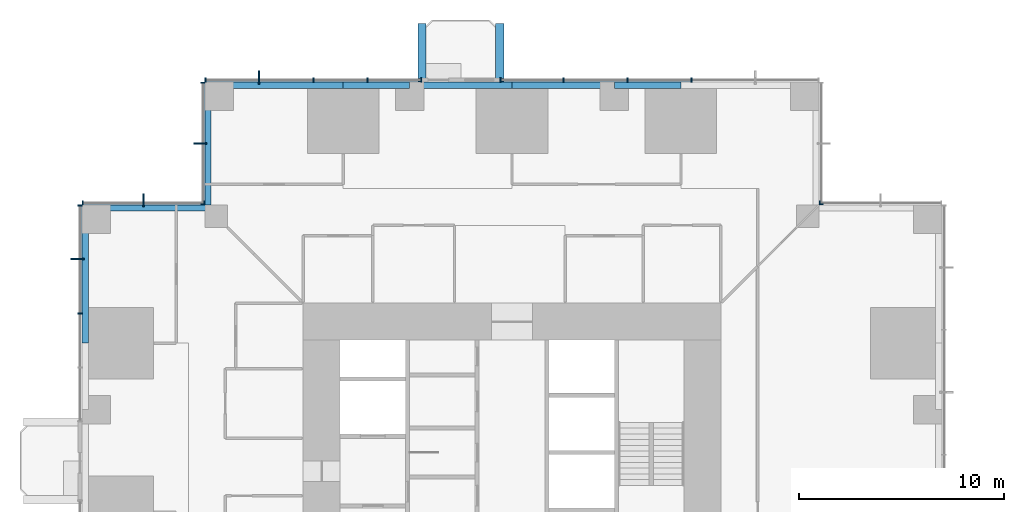
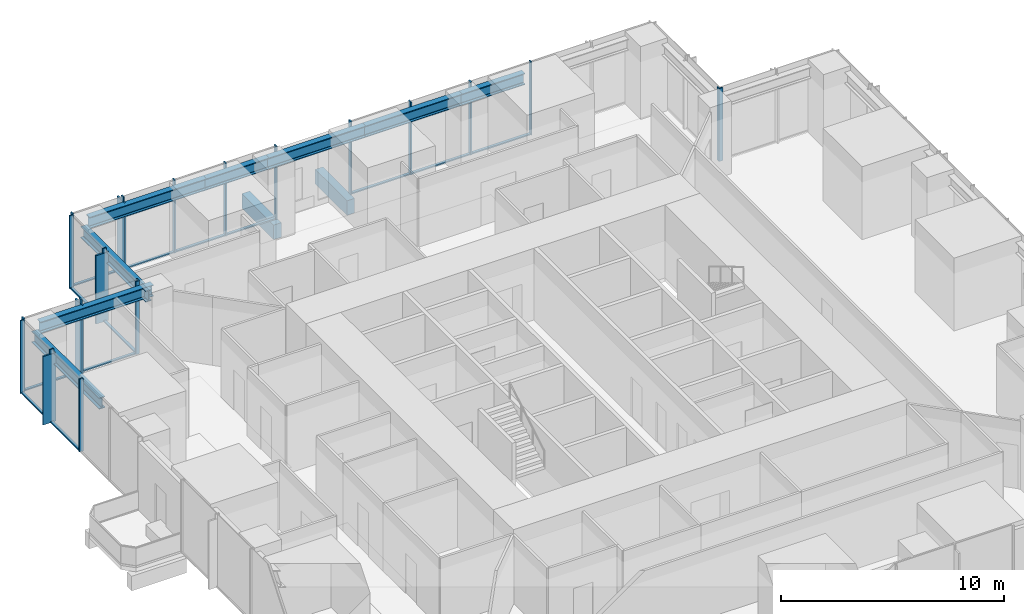
# One storey, part 5 of 15: 37 members, 10 beams, 7 elements without a shape of their own.
"""IFC4 building model written with IfcOpenShell, lengths in metres."""

from ifc_helpers import new_model, si_unit, direction, frame, origin, origin_2d, place, context, subcontext, project, spatial, rectangle, i_section, extrude, material, material_profile, profile_set, type_object, element, aggregate, save


model = new_model("IFC4")

# Units and contexts
model_context = context("Model", 3, precision=1e-05, world=origin(), true_north=direction((0.0, 1.0)))
body_context = subcontext(model_context, "Body", "Model", "MODEL_VIEW")
ifc_project = project(units=[si_unit("LENGTHUNIT", "METRE"), si_unit("AREAUNIT", "SQUARE_METRE"), si_unit("VOLUMEUNIT", "CUBIC_METRE"), si_unit("PLANEANGLEUNIT", "RADIAN"), si_unit("MASSUNIT", "GRAM", prefix="KILO")], contexts=[model_context])

# Site, building, storey
site_placement = place(None, origin())
site = spatial("IfcSite", under=ifc_project, at=site_placement, CompositionType="ELEMENT")
building_placement = place(site_placement, origin())
building = spatial("IfcBuilding", under=site, at=building_placement, Name="Svetlomir Tower", CompositionType="ELEMENT")
storey_placement = place(building_placement, frame((0.0, 0.0, 34.5)))
storey = spatial("IfcBuildingStorey", under=building, at=storey_placement, Name="L07", CompositionType="ELEMENT", Elevation=34.5)

# Beams
ifc_material_1 = material(Name="Concrete C60/75", Category="concrete")
ifc_material_profile_1 = material_profile(ifc_material_1, rectangle(XDim=0.39990234375, YDim=0.800048828125, at=origin_2d()), Name="RC 400x800")
ifc_profile_set_1 = profile_set([ifc_material_profile_1], Name="Concrete C60/75")
beam_type_1 = type_object("IfcBeamType", Name="BALCONY RIB RC 400x800", PredefinedType="BEAM", material=ifc_profile_set_1)
for number, where, z_axis, x_axis, name in (
    (1, (16.60009765625, 42.0, -0.64990234375), (0.0, 1.0, 0.0), (-1.0, 0.0, 0.0), "Balcony rib N 1 L07"),
    (2, (20.39990234375, 42.0, -0.64990234375), (0.0, 1.0, 0.0), (-1.0, 0.0, 0.0), "Balcony rib N 2 L07"),
):
    element("IfcBeam", number, at=place(storey_placement, frame(where, z_axis=z_axis, x_axis=x_axis)), inside=storey, type_object=beam_type_1, Name=name, PredefinedType="BEAM", context=body_context, shape_type="SweptSolid", body=[
        extrude(rectangle(XDim=0.39990234375, YDim=0.800048828125, at=origin_2d()), origin(), (0.0, 0.0, 1.0), 2.85009765625),
    ])

# Curtain wall, member
ifc_material_2 = material(Name="Bronze anodised aluminium curtain wall", Category="aluminium")
curtain_wall_type = type_object("IfcCurtainWallType", Name="CURTAIN WALL CW1 TOWER OFFICE", PredefinedType="NOTDEFINED", material=ifc_material_2)
curtain_wall_1_placement = place(storey_placement, origin())
curtain_wall_1 = element("IfcCurtainWall", 3, at=curtain_wall_1_placement, inside=storey, type_object=curtain_wall_type, Name="Curtain wall CW1 L07", PredefinedType="NOTDEFINED")
ifc_material_3 = material(Name="Bronze anodised aluminium", Category="aluminium")
ifc_material_profile_2 = material_profile(ifc_material_3, rectangle(XDim=0.080078125, YDim=0.64990234375, at=origin_2d()), Name="FIN 80x650")
ifc_profile_set_2 = profile_set([ifc_material_profile_2], Name="Bronze anodised aluminium 6063-T6")
member_type_1 = type_object("IfcMemberType", Name="BRONZE FIN 80x650", PredefinedType="USERDEFINED", material=ifc_profile_set_2)
member_1_placement = place(storey_placement, frame((8.64990234375, 42.22509765625, 0.0), z_axis=(0.0, 0.0, 1.0), x_axis=(1.0, 0.0, 0.0)))
member_1 = element("IfcMember", 4, at=member_1_placement, type_object=member_type_1, Name="Bronze fin L07", ObjectType="FIN", PredefinedType="USERDEFINED", context=body_context, shape_type="SweptSolid", body=[
    extrude(rectangle(XDim=0.080078125, YDim=0.64990234375, at=origin_2d()), origin(), (0.0, 0.0, 1.0), 3.75),
])

curtain_wall_2_placement = place(storey_placement, origin())
curtain_wall_2 = element("IfcCurtainWall", 5, at=curtain_wall_2_placement, inside=storey, type_object=curtain_wall_type, Name="Curtain wall CW1 L07", PredefinedType="NOTDEFINED")
member_2_placement = place(storey_placement, frame((5.77490234375, 39.0, 0.0), z_axis=(0.0, 0.0, 1.0), x_axis=(0.0, 1.0, 0.0)))
member_2 = element("IfcMember", 6, at=member_2_placement, type_object=member_type_1, Name="Bronze fin L07", ObjectType="FIN", PredefinedType="USERDEFINED", context=body_context, shape_type="SweptSolid", body=[
    extrude(rectangle(XDim=0.080078125, YDim=0.64990234375, at=origin_2d()), origin(), (0.0, 0.0, 1.0), 3.75),
])

curtain_wall_3_placement = place(storey_placement, origin())
curtain_wall_3 = element("IfcCurtainWall", 7, at=curtain_wall_3_placement, inside=storey, type_object=curtain_wall_type, Name="Curtain wall CW1 L07", PredefinedType="NOTDEFINED")
member_3_placement = place(storey_placement, frame((3.0, 36.22509765625, 0.0), z_axis=(0.0, 0.0, 1.0), x_axis=(1.0, 0.0, 0.0)))
member_3 = element("IfcMember", 8, at=member_3_placement, type_object=member_type_1, Name="Bronze fin L07", ObjectType="FIN", PredefinedType="USERDEFINED", context=body_context, shape_type="SweptSolid", body=[
    extrude(rectangle(XDim=0.080078125, YDim=0.64990234375, at=origin_2d()), origin(), (0.0, 0.0, 1.0), 3.75),
])

curtain_wall_4_placement = place(storey_placement, origin())
curtain_wall_4 = element("IfcCurtainWall", 9, at=curtain_wall_4_placement, inside=storey, type_object=curtain_wall_type, Name="Curtain wall CW1 L07", PredefinedType="NOTDEFINED")
member_4_placement = place(storey_placement, frame((-0.22509765625, 33.35009765625, 0.0), z_axis=(0.0, 0.0, 1.0), x_axis=(0.0, 1.0, 0.0)))
member_4 = element("IfcMember", 10, at=member_4_placement, type_object=member_type_1, Name="Bronze fin L07", ObjectType="FIN", PredefinedType="USERDEFINED", context=body_context, shape_type="SweptSolid", body=[
    extrude(rectangle(XDim=0.080078125, YDim=0.64990234375, at=origin_2d()), origin(), (0.0, 0.0, 1.0), 3.75),
])

curtain_wall_5_placement = place(storey_placement, origin())
curtain_wall_5 = element("IfcCurtainWall", 11, at=curtain_wall_5_placement, inside=storey, type_object=curtain_wall_type, Name="Curtain wall CW1 L07", PredefinedType="NOTDEFINED")
ifc_material_4 = material(Name="Bronze anodised aluminium", Category="aluminium")
ifc_material_profile_3 = material_profile(ifc_material_4, rectangle(XDim=0.06494140625, YDim=0.199951171875, at=origin_2d()), Name="AL 65x200")
ifc_profile_set_3 = profile_set([ifc_material_profile_3], Name="Bronze anodised aluminium 6063-T6")
member_type_2 = type_object("IfcMemberType", Name="CW1 MULLION 65x200", PredefinedType="MULLION", material=ifc_profile_set_3)
member_5_placement = place(storey_placement, frame((36.032470703125, 36.10009765625, 0.0), z_axis=(0.0, 0.0, 1.0), x_axis=(-1.0, 0.0, 0.0)))
member_5 = element("IfcMember", 12, at=member_5_placement, type_object=member_type_2, Name="CW1 mullion 3", PredefinedType="MULLION", context=body_context, shape_type="SweptSolid", body=[
    extrude(rectangle(XDim=0.06494140625, YDim=0.199951171875, at=origin_2d()), origin(), (0.0, 0.0, 1.0), 4.0),
])
aggregate(curtain_wall_5, [member_5])

curtain_wall_6_placement = place(storey_placement, origin())
curtain_wall_6 = element("IfcCurtainWall", 13, at=curtain_wall_6_placement, inside=storey, type_object=curtain_wall_type, Name="Curtain wall CW1 L07", PredefinedType="NOTDEFINED")
member_6_placement = place(storey_placement, frame((36.10009765625, 36.032470703125, 0.0), z_axis=(0.0, 0.0, 1.0), x_axis=(0.0, 1.0, 0.0)))
member_6 = element("IfcMember", 14, at=member_6_placement, type_object=member_type_2, Name="CW1 mullion 1", PredefinedType="MULLION", context=body_context, shape_type="SweptSolid", body=[
    extrude(rectangle(XDim=0.06494140625, YDim=0.199951171875, at=origin_2d()), origin(), (0.0, 0.0, 1.0), 4.0),
])
aggregate(curtain_wall_6, [member_6])

# Curtain wall, members
curtain_wall_7_placement = place(storey_placement, origin())
curtain_wall_7 = element("IfcCurtainWall", 15, at=curtain_wall_7_placement, inside=storey, type_object=curtain_wall_type, Name="Curtain wall CW1 L07", PredefinedType="NOTDEFINED")
member_7_placement = place(storey_placement, frame((29.760009765625, 42.10009765625, 0.0), z_axis=(0.0, 0.0, 1.0), x_axis=(-1.0, 0.0, 0.0)))
member_7 = element("IfcMember", 16, at=member_7_placement, type_object=member_type_2, Name="CW1 mullion 3", PredefinedType="MULLION", context=body_context, shape_type="SweptSolid", body=[
    extrude(rectangle(XDim=0.06494140625, YDim=0.199951171875, at=origin_2d()), origin(), (0.0, 0.0, 1.0), 4.0),
])
member_8_placement = place(storey_placement, frame((26.639892578125, 42.10009765625, 0.0), z_axis=(0.0, 0.0, 1.0), x_axis=(-1.0, 0.0, 0.0)))
member_8 = element("IfcMember", 17, at=member_8_placement, type_object=member_type_2, Name="CW1 mullion 4", PredefinedType="MULLION", context=body_context, shape_type="SweptSolid", body=[
    extrude(rectangle(XDim=0.06494140625, YDim=0.199951171875, at=origin_2d()), origin(), (0.0, 0.0, 1.0), 4.0),
])
member_9_placement = place(storey_placement, frame((23.52001953125, 42.10009765625, 0.0), z_axis=(0.0, 0.0, 1.0), x_axis=(-1.0, 0.0, 0.0)))
member_9 = element("IfcMember", 18, at=member_9_placement, type_object=member_type_2, Name="CW1 mullion 5", PredefinedType="MULLION", context=body_context, shape_type="SweptSolid", body=[
    extrude(rectangle(XDim=0.06494140625, YDim=0.199951171875, at=origin_2d()), origin(), (0.0, 0.0, 1.0), 4.0),
])
member_10_placement = place(storey_placement, frame((20.4326171875, 42.10009765625, 0.0), z_axis=(0.0, 0.0, 1.0), x_axis=(-1.0, 0.0, 0.0)))
member_10 = element("IfcMember", 19, at=member_10_placement, type_object=member_type_2, Name="CW1 mullion 6", PredefinedType="MULLION", context=body_context, shape_type="SweptSolid", body=[
    extrude(rectangle(XDim=0.06494140625, YDim=0.199951171875, at=origin_2d()), origin(), (0.0, 0.0, 1.0), 4.0),
])

# Member
member_11_placement = place(storey_placement, frame((16.5673828125, 42.10009765625, 0.0), z_axis=(0.0, 0.0, 1.0), x_axis=(-1.0, 0.0, 0.0)))
member_11 = element("IfcMember", 20, at=member_11_placement, type_object=member_type_2, Name="CW1 mullion 1", PredefinedType="MULLION", context=body_context, shape_type="SweptSolid", body=[
    extrude(rectangle(XDim=0.06494140625, YDim=0.199951171875, at=origin_2d()), origin(), (0.0, 0.0, 1.0), 4.0),
])

member_12_placement = place(storey_placement, frame((13.949951171875, 42.10009765625, 0.0), z_axis=(0.0, 0.0, 1.0), x_axis=(-1.0, 0.0, 0.0)))
member_12 = element("IfcMember", 21, at=member_12_placement, type_object=member_type_2, Name="CW1 mullion 2", PredefinedType="MULLION", context=body_context, shape_type="SweptSolid", body=[
    extrude(rectangle(XDim=0.06494140625, YDim=0.199951171875, at=origin_2d()), origin(), (0.0, 0.0, 1.0), 4.0),
])

member_13_placement = place(storey_placement, frame((11.300048828125, 42.10009765625, 0.0), z_axis=(0.0, 0.0, 1.0), x_axis=(-1.0, 0.0, 0.0)))
member_13 = element("IfcMember", 22, at=member_13_placement, type_object=member_type_2, Name="CW1 mullion 3", PredefinedType="MULLION", context=body_context, shape_type="SweptSolid", body=[
    extrude(rectangle(XDim=0.06494140625, YDim=0.199951171875, at=origin_2d()), origin(), (0.0, 0.0, 1.0), 4.0),
])

member_14_placement = place(storey_placement, frame((8.64990234375, 42.10009765625, 0.0), z_axis=(0.0, 0.0, 1.0), x_axis=(-1.0, 0.0, 0.0)))
member_14 = element("IfcMember", 23, at=member_14_placement, type_object=member_type_2, Name="CW1 mullion 4", PredefinedType="MULLION", context=body_context, shape_type="SweptSolid", body=[
    extrude(rectangle(XDim=0.06494140625, YDim=0.199951171875, at=origin_2d()), origin(), (0.0, 0.0, 1.0), 4.0),
])

member_15_placement = place(storey_placement, frame((6.032470703125, 42.10009765625, 0.0), z_axis=(0.0, 0.0, 1.0), x_axis=(-1.0, 0.0, 0.0)))
member_15 = element("IfcMember", 24, at=member_15_placement, type_object=member_type_2, Name="CW1 mullion 5", PredefinedType="MULLION", context=body_context, shape_type="SweptSolid", body=[
    extrude(rectangle(XDim=0.06494140625, YDim=0.199951171875, at=origin_2d()), origin(), (0.0, 0.0, 1.0), 4.0),
])

member_16_placement = place(storey_placement, frame((5.89990234375, 41.967529296875, 0.0), z_axis=(0.0, 0.0, 1.0), x_axis=(0.0, -1.0, 0.0)))
member_16 = element("IfcMember", 25, at=member_16_placement, type_object=member_type_2, Name="CW1 mullion 1", PredefinedType="MULLION", context=body_context, shape_type="SweptSolid", body=[
    extrude(rectangle(XDim=0.06494140625, YDim=0.199951171875, at=origin_2d()), origin(), (0.0, 0.0, 1.0), 4.0),
])

member_17_placement = place(storey_placement, frame((5.89990234375, 39.0, 0.0), z_axis=(0.0, 0.0, 1.0), x_axis=(0.0, -1.0, 0.0)))
member_17 = element("IfcMember", 26, at=member_17_placement, type_object=member_type_2, Name="CW1 mullion 2", PredefinedType="MULLION", context=body_context, shape_type="SweptSolid", body=[
    extrude(rectangle(XDim=0.06494140625, YDim=0.199951171875, at=origin_2d()), origin(), (0.0, 0.0, 1.0), 4.0),
])

member_18_placement = place(storey_placement, frame((5.89990234375, 36.032470703125, 0.0), z_axis=(0.0, 0.0, 1.0), x_axis=(0.0, -1.0, 0.0)))
member_18 = element("IfcMember", 27, at=member_18_placement, type_object=member_type_2, Name="CW1 mullion 3", PredefinedType="MULLION", context=body_context, shape_type="SweptSolid", body=[
    extrude(rectangle(XDim=0.06494140625, YDim=0.199951171875, at=origin_2d()), origin(), (0.0, 0.0, 1.0), 4.0),
])

member_19_placement = place(storey_placement, frame((5.967529296875, 36.10009765625, 0.0), z_axis=(0.0, 0.0, 1.0), x_axis=(-1.0, 0.0, 0.0)))
member_19 = element("IfcMember", 28, at=member_19_placement, type_object=member_type_2, Name="CW1 mullion 1", PredefinedType="MULLION", context=body_context, shape_type="SweptSolid", body=[
    extrude(rectangle(XDim=0.06494140625, YDim=0.199951171875, at=origin_2d()), origin(), (0.0, 0.0, 1.0), 4.0),
])

member_20_placement = place(storey_placement, frame((3.0, 36.10009765625, 0.0), z_axis=(0.0, 0.0, 1.0), x_axis=(-1.0, 0.0, 0.0)))
member_20 = element("IfcMember", 29, at=member_20_placement, type_object=member_type_2, Name="CW1 mullion 2", PredefinedType="MULLION", context=body_context, shape_type="SweptSolid", body=[
    extrude(rectangle(XDim=0.06494140625, YDim=0.199951171875, at=origin_2d()), origin(), (0.0, 0.0, 1.0), 4.0),
])

member_21_placement = place(storey_placement, frame((0.032470703125, 36.10009765625, 0.0), z_axis=(0.0, 0.0, 1.0), x_axis=(-1.0, 0.0, 0.0)))
member_21 = element("IfcMember", 30, at=member_21_placement, type_object=member_type_2, Name="CW1 mullion 3", PredefinedType="MULLION", context=body_context, shape_type="SweptSolid", body=[
    extrude(rectangle(XDim=0.06494140625, YDim=0.199951171875, at=origin_2d()), origin(), (0.0, 0.0, 1.0), 4.0),
])

member_22_placement = place(storey_placement, frame((-0.10009765625, 35.967529296875, 0.0), z_axis=(0.0, 0.0, 1.0), x_axis=(0.0, -1.0, 0.0)))
member_22 = element("IfcMember", 31, at=member_22_placement, type_object=member_type_2, Name="CW1 mullion 1", PredefinedType="MULLION", context=body_context, shape_type="SweptSolid", body=[
    extrude(rectangle(XDim=0.06494140625, YDim=0.199951171875, at=origin_2d()), origin(), (0.0, 0.0, 1.0), 4.0),
])

member_23_placement = place(storey_placement, frame((-0.10009765625, 33.35009765625, 0.0), z_axis=(0.0, 0.0, 1.0), x_axis=(0.0, -1.0, 0.0)))
member_23 = element("IfcMember", 32, at=member_23_placement, type_object=member_type_2, Name="CW1 mullion 2", PredefinedType="MULLION", context=body_context, shape_type="SweptSolid", body=[
    extrude(rectangle(XDim=0.06494140625, YDim=0.199951171875, at=origin_2d()), origin(), (0.0, 0.0, 1.0), 4.0),
])

member_24_placement = place(storey_placement, frame((-0.10009765625, 30.699951171875, 0.0), z_axis=(0.0, 0.0, 1.0), x_axis=(0.0, -1.0, 0.0)))
member_24 = element("IfcMember", 33, at=member_24_placement, type_object=member_type_2, Name="CW1 mullion 3", PredefinedType="MULLION", context=body_context, shape_type="SweptSolid", body=[
    extrude(rectangle(XDim=0.06494140625, YDim=0.199951171875, at=origin_2d()), origin(), (0.0, 0.0, 1.0), 4.0),
])

ifc_material_5 = material(Name="Bronze anodised aluminium", Category="aluminium")
ifc_material_profile_4 = material_profile(ifc_material_5, rectangle(XDim=0.139892578125, YDim=0.06494140625, at=origin_2d()), Name="AL 140x65")
ifc_profile_set_4 = profile_set([ifc_material_profile_4], Name="Bronze anodised aluminium 6063-T6")
member_type_3 = type_object("IfcMemberType", Name="CW1 TRANSOM 65x140", PredefinedType="USERDEFINED", material=ifc_profile_set_4)
member_25_placement = place(storey_placement, frame((29.7275390625, 42.10009765625, 0.032470703125), z_axis=(-1.0, 0.0, 0.0), x_axis=(0.0, -1.0, 0.0)))
member_25 = element("IfcMember", 34, at=member_25_placement, type_object=member_type_3, Name="CW1 transom 3.1", ObjectType="TRANSOM", PredefinedType="USERDEFINED", context=body_context, shape_type="SweptSolid", body=[
    extrude(rectangle(XDim=0.139892578125, YDim=0.06494140625, at=origin_2d()), origin(), (0.0, 0.0, 1.0), 3.054931640625),
])

member_26_placement = place(storey_placement, frame((26.607421875, 42.10009765625, 0.032470703125), z_axis=(-1.0, 0.0, 0.0), x_axis=(0.0, -1.0, 0.0)))
member_26 = element("IfcMember", 35, at=member_26_placement, type_object=member_type_3, Name="CW1 transom 4.1", ObjectType="TRANSOM", PredefinedType="USERDEFINED", context=body_context, shape_type="SweptSolid", body=[
    extrude(rectangle(XDim=0.139892578125, YDim=0.06494140625, at=origin_2d()), origin(), (0.0, 0.0, 1.0), 3.054931640625),
])

member_27_placement = place(storey_placement, frame((23.487548828125, 42.10009765625, 0.032470703125), z_axis=(-1.0, 0.0, 0.0), x_axis=(0.0, -1.0, 0.0)))
member_27 = element("IfcMember", 36, at=member_27_placement, type_object=member_type_3, Name="CW1 transom 5.1", ObjectType="TRANSOM", PredefinedType="USERDEFINED", context=body_context, shape_type="SweptSolid", body=[
    extrude(rectangle(XDim=0.139892578125, YDim=0.06494140625, at=origin_2d()), origin(), (0.0, 0.0, 1.0), 3.0224609375),
])

aggregate(curtain_wall_7, [member_7, member_8, member_9, member_10, member_25, member_26, member_27])

member_28_placement = place(storey_placement, frame((16.534912109375, 42.10009765625, 0.032470703125), z_axis=(-1.0, 0.0, 0.0), x_axis=(0.0, -1.0, 0.0)))
member_28 = element("IfcMember", 37, at=member_28_placement, type_object=member_type_3, Name="CW1 transom 1.1", ObjectType="TRANSOM", PredefinedType="USERDEFINED", context=body_context, shape_type="SweptSolid", body=[
    extrude(rectangle(XDim=0.139892578125, YDim=0.06494140625, at=origin_2d()), origin(), (0.0, 0.0, 1.0), 2.552490234375),
])

member_29_placement = place(storey_placement, frame((13.91748046875, 42.10009765625, 0.032470703125), z_axis=(-1.0, 0.0, 0.0), x_axis=(0.0, -1.0, 0.0)))
member_29 = element("IfcMember", 38, at=member_29_placement, type_object=member_type_3, Name="CW1 transom 2.1", ObjectType="TRANSOM", PredefinedType="USERDEFINED", context=body_context, shape_type="SweptSolid", body=[
    extrude(rectangle(XDim=0.139892578125, YDim=0.06494140625, at=origin_2d()), origin(), (0.0, 0.0, 1.0), 2.5849609375),
])

member_30_placement = place(storey_placement, frame((11.267578125, 42.10009765625, 0.032470703125), z_axis=(-1.0, 0.0, 0.0), x_axis=(0.0, -1.0, 0.0)))
member_30 = element("IfcMember", 39, at=member_30_placement, type_object=member_type_3, Name="CW1 transom 3.1", ObjectType="TRANSOM", PredefinedType="USERDEFINED", context=body_context, shape_type="SweptSolid", body=[
    extrude(rectangle(XDim=0.139892578125, YDim=0.06494140625, at=origin_2d()), origin(), (0.0, 0.0, 1.0), 2.5849609375),
])

member_31_placement = place(storey_placement, frame((8.617431640625, 42.10009765625, 0.032470703125), z_axis=(-1.0, 0.0, 0.0), x_axis=(0.0, -1.0, 0.0)))
member_31 = element("IfcMember", 40, at=member_31_placement, type_object=member_type_3, Name="CW1 transom 4.1", ObjectType="TRANSOM", PredefinedType="USERDEFINED", context=body_context, shape_type="SweptSolid", body=[
    extrude(rectangle(XDim=0.139892578125, YDim=0.06494140625, at=origin_2d()), origin(), (0.0, 0.0, 1.0), 2.552490234375),
])

aggregate(curtain_wall_1, [member_11, member_12, member_13, member_14, member_15, member_28, member_29, member_30, member_31, member_1])

member_32_placement = place(storey_placement, frame((5.89990234375, 41.93505859375, 0.032470703125), z_axis=(0.0, -1.0, 0.0), x_axis=(1.0, 0.0, 0.0)))
member_32 = element("IfcMember", 41, at=member_32_placement, type_object=member_type_3, Name="CW1 transom 1.1", ObjectType="TRANSOM", PredefinedType="USERDEFINED", context=body_context, shape_type="SweptSolid", body=[
    extrude(rectangle(XDim=0.139892578125, YDim=0.06494140625, at=origin_2d()), origin(), (0.0, 0.0, 1.0), 2.902587890625),
])

member_33_placement = place(storey_placement, frame((5.89990234375, 38.967529296875, 0.032470703125), z_axis=(0.0, -1.0, 0.0), x_axis=(1.0, 0.0, 0.0)))
member_33 = element("IfcMember", 42, at=member_33_placement, type_object=member_type_3, Name="CW1 transom 2.1", ObjectType="TRANSOM", PredefinedType="USERDEFINED", context=body_context, shape_type="SweptSolid", body=[
    extrude(rectangle(XDim=0.139892578125, YDim=0.06494140625, at=origin_2d()), origin(), (0.0, 0.0, 1.0), 2.902587890625),
])

aggregate(curtain_wall_2, [member_16, member_17, member_18, member_32, member_33, member_2])

member_34_placement = place(storey_placement, frame((5.93505859375, 36.10009765625, 0.032470703125), z_axis=(-1.0, 0.0, 0.0), x_axis=(0.0, -1.0, 0.0)))
member_34 = element("IfcMember", 43, at=member_34_placement, type_object=member_type_3, Name="CW1 transom 1.1", ObjectType="TRANSOM", PredefinedType="USERDEFINED", context=body_context, shape_type="SweptSolid", body=[
    extrude(rectangle(XDim=0.139892578125, YDim=0.06494140625, at=origin_2d()), origin(), (0.0, 0.0, 1.0), 2.902587890625),
])

member_35_placement = place(storey_placement, frame((2.967529296875, 36.10009765625, 0.032470703125), z_axis=(-1.0, 0.0, 0.0), x_axis=(0.0, -1.0, 0.0)))
member_35 = element("IfcMember", 44, at=member_35_placement, type_object=member_type_3, Name="CW1 transom 2.1", ObjectType="TRANSOM", PredefinedType="USERDEFINED", context=body_context, shape_type="SweptSolid", body=[
    extrude(rectangle(XDim=0.139892578125, YDim=0.06494140625, at=origin_2d()), origin(), (0.0, 0.0, 1.0), 2.902587890625),
])

aggregate(curtain_wall_3, [member_19, member_20, member_21, member_34, member_35, member_3])

member_36_placement = place(storey_placement, frame((-0.10009765625, 35.93505859375, 0.032470703125), z_axis=(0.0, -1.0, 0.0), x_axis=(1.0, 0.0, 0.0)))
member_36 = element("IfcMember", 45, at=member_36_placement, type_object=member_type_3, Name="CW1 transom 1.1", ObjectType="TRANSOM", PredefinedType="USERDEFINED", context=body_context, shape_type="SweptSolid", body=[
    extrude(rectangle(XDim=0.139892578125, YDim=0.06494140625, at=origin_2d()), origin(), (0.0, 0.0, 1.0), 2.552490234375),
])

member_37_placement = place(storey_placement, frame((-0.10009765625, 33.3173828125, 0.032470703125), z_axis=(0.0, -1.0, 0.0), x_axis=(1.0, 0.0, 0.0)))
member_37 = element("IfcMember", 46, at=member_37_placement, type_object=member_type_3, Name="CW1 transom 2.1", ObjectType="TRANSOM", PredefinedType="USERDEFINED", context=body_context, shape_type="SweptSolid", body=[
    extrude(rectangle(XDim=0.139892578125, YDim=0.06494140625, at=origin_2d()), origin(), (0.0, 0.0, 1.0), 2.5849609375),
])

aggregate(curtain_wall_4, [member_22, member_23, member_24, member_36, member_37, member_4])

# Beams
ifc_material_6 = material(Name="Steel S355", Category="steel")
ifc_material_profile_5 = material_profile(ifc_material_6, i_section(OverallWidth=0.304931640625, OverallDepth=0.6201171875, WebThickness=0.02099609375, FlangeThickness=0.0400390625, FilletRadius=0.027099609375, at=origin_2d()), Name="HEM 600")
ifc_profile_set_5 = profile_set([ifc_material_profile_5], Name="Steel S355")
beam_type_2 = type_object("IfcBeamType", Name="EDGE BEAM HEM 600", PredefinedType="SPANDREL", material=ifc_profile_set_5)
beam_1_placement = place(storey_placement, frame((6.699951171875, 41.847412109375, 3.43994140625), z_axis=(1.0, 0.0, 0.0), x_axis=(0.0, 1.0, 0.0)))
element("IfcBeam", 47, at=beam_1_placement, inside=storey, type_object=beam_type_2, Name="Edge beam 6/42 to 11/42 under L08", PredefinedType="SPANDREL", context=body_context, shape_type="SweptSolid", body=[
    extrude(i_section(OverallWidth=0.304931640625, OverallDepth=0.6201171875, WebThickness=0.02099609375, FlangeThickness=0.0400390625, FilletRadius=0.027099609375, at=origin_2d()), origin(), (0.0, 0.0, 1.0), 6.050048828125),
])
beam_2_placement = place(storey_placement, frame((12.75, 41.847412109375, 3.43994140625), z_axis=(1.0, 0.0, 0.0), x_axis=(0.0, 1.0, 0.0)))
element("IfcBeam", 48, at=beam_2_placement, inside=storey, type_object=beam_type_2, Name="Edge beam 11/42 to 16/42 under L08", PredefinedType="SPANDREL", context=body_context, shape_type="SweptSolid", body=[
    extrude(i_section(OverallWidth=0.304931640625, OverallDepth=0.6201171875, WebThickness=0.02099609375, FlangeThickness=0.0400390625, FilletRadius=0.027099609375, at=origin_2d()), origin(), (0.0, 0.0, 1.0), 3.25),
])
for number, where, z_axis, x_axis, name in (
    (49, (16.0, 41.847412109375, 3.43994140625), (1.0, 0.0, 0.0), (0.0, 1.0, 0.0), "Edge beam 16/42 to 21/42 under L08"),
    (50, (21.0, 41.847412109375, 3.43994140625), (1.0, 0.0, 0.0), (0.0, 1.0, 0.0), "Edge beam 21/42 to 26/42 under L08"),
):
    element("IfcBeam", number, at=place(storey_placement, frame(where, z_axis=z_axis, x_axis=x_axis)), inside=storey, type_object=beam_type_2, Name=name, PredefinedType="SPANDREL", context=body_context, shape_type="SweptSolid", body=[
        extrude(i_section(OverallWidth=0.304931640625, OverallDepth=0.6201171875, WebThickness=0.02099609375, FlangeThickness=0.0400390625, FilletRadius=0.027099609375, at=origin_2d()), origin(), (0.0, 0.0, 1.0), 5.0),
    ])
beam_3_placement = place(storey_placement, frame((26.0, 41.847412109375, 3.43994140625), z_axis=(1.0, 0.0, 0.0), x_axis=(0.0, 1.0, 0.0)))
element("IfcBeam", 51, at=beam_3_placement, inside=storey, type_object=beam_type_2, Name="Edge beam 26/42 to 31/42 under L08", PredefinedType="SPANDREL", context=body_context, shape_type="SweptSolid", body=[
    extrude(i_section(OverallWidth=0.304931640625, OverallDepth=0.6201171875, WebThickness=0.02099609375, FlangeThickness=0.0400390625, FilletRadius=0.027099609375, at=origin_2d()), origin(), (0.0, 0.0, 1.0), 3.25),
])
beam_4_placement = place(storey_placement, frame((0.152587890625, 29.25, 3.43994140625), z_axis=(0.0, 1.0, 0.0), x_axis=(-1.0, 0.0, 0.0)))
element("IfcBeam", 52, at=beam_4_placement, inside=storey, type_object=beam_type_2, Name="Edge beam 0/31 to 0/36 under L08", PredefinedType="SPANDREL", context=body_context, shape_type="SweptSolid", body=[
    extrude(i_section(OverallWidth=0.304931640625, OverallDepth=0.6201171875, WebThickness=0.02099609375, FlangeThickness=0.0400390625, FilletRadius=0.027099609375, at=origin_2d()), origin(), (0.0, 0.0, 1.0), 6.050048828125),
])
for number, where, z_axis, x_axis, name in (
    (53, (6.152587890625, 41.300048828125, 3.43994140625), (0.0, -1.0, 0.0), (1.0, 0.0, 0.0), "Edge beam 6/42 to 6/36 under L08"),
    (54, (0.699951171875, 35.847412109375, 3.43994140625), (1.0, 0.0, 0.0), (0.0, 1.0, 0.0), "Edge beam 0/36 to 6/36 under L08"),
):
    element("IfcBeam", number, at=place(storey_placement, frame(where, z_axis=z_axis, x_axis=x_axis)), inside=storey, type_object=beam_type_2, Name=name, PredefinedType="SPANDREL", context=body_context, shape_type="SweptSolid", body=[
        extrude(i_section(OverallWidth=0.304931640625, OverallDepth=0.6201171875, WebThickness=0.02099609375, FlangeThickness=0.0400390625, FilletRadius=0.027099609375, at=origin_2d()), origin(), (0.0, 0.0, 1.0), 5.85009765625),
    ])

save(model, "model.ifc")
